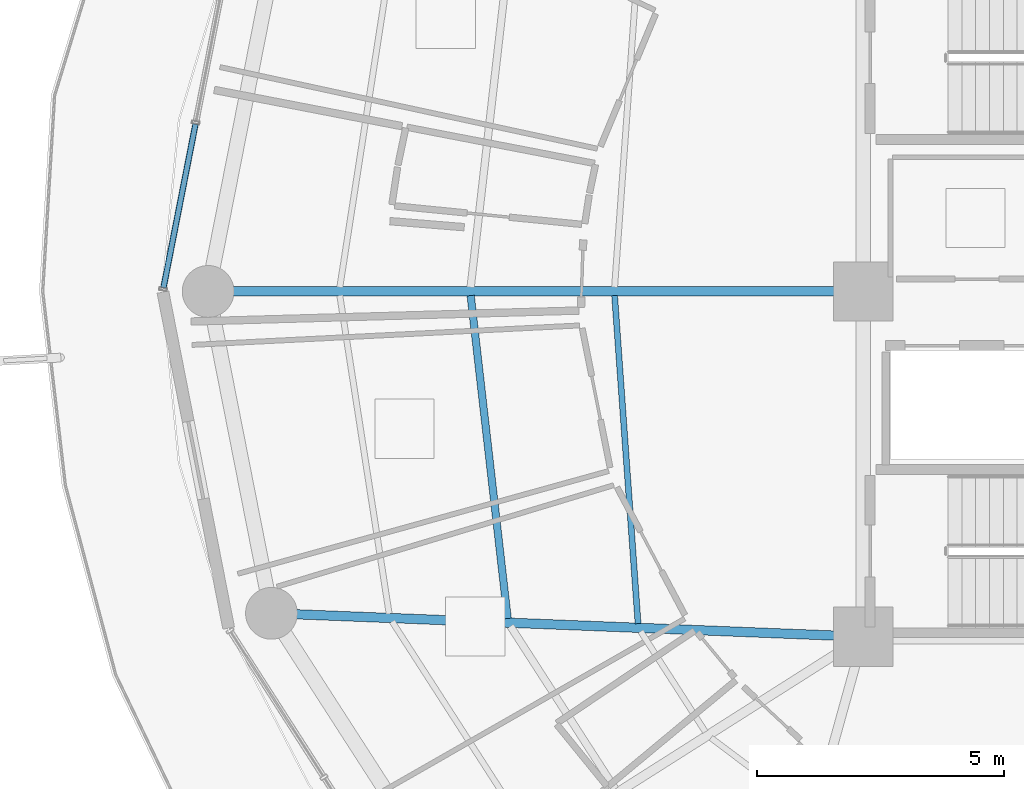
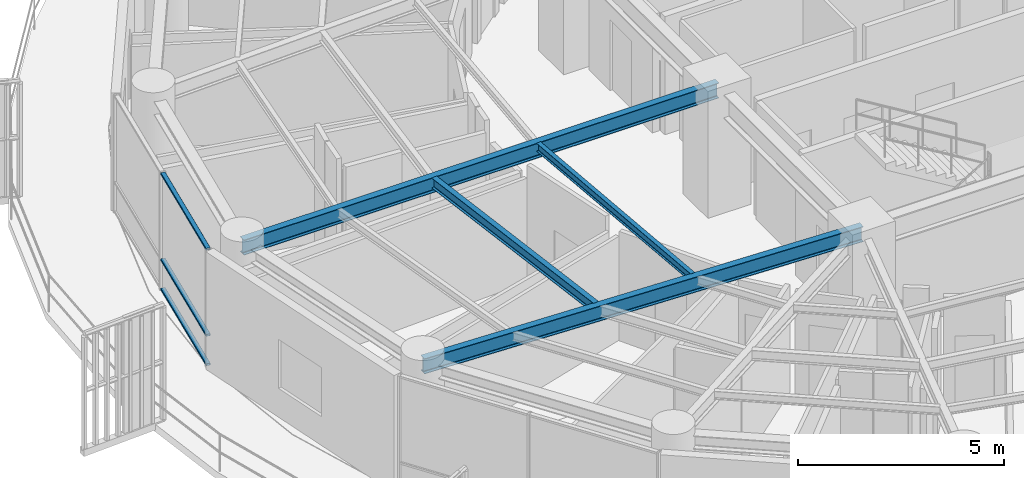
# One storey, part 7 of 31: 4 beams, 3 members, 1 element without a shape of its own.
"""IFC4 building model written with IfcOpenShell, lengths in metres."""

from ifc_helpers import new_model, si_unit, direction, frame, origin, origin_2d, place, context, subcontext, project, spatial, hollow_rectangle, i_section, extrude, material, layer, layer_set, material_profile, profile_set, type_object, element, aggregate, save


model = new_model("IFC4")

# Units and contexts
model_context = context("Model", 3, precision=1e-05, world=origin(), true_north=direction((0.0, 1.0)))
body_context = subcontext(model_context, "Body", "Model", "MODEL_VIEW")
ifc_project = project(units=[si_unit("LENGTHUNIT", "METRE"), si_unit("AREAUNIT", "SQUARE_METRE"), si_unit("VOLUMEUNIT", "CUBIC_METRE"), si_unit("PLANEANGLEUNIT", "RADIAN"), si_unit("MASSUNIT", "GRAM", prefix="KILO")], contexts=[model_context])

# Site, building, storey
site_placement = place(None, origin())
site = spatial("IfcSite", under=ifc_project, at=site_placement, CompositionType="ELEMENT")
building_placement = place(site_placement, origin())
building = spatial("IfcBuilding", under=site, at=building_placement, Name="Kelanora Arch Commons", CompositionType="ELEMENT")
storey_placement = place(building_placement, frame((0.0, 0.0, 196.949951171875)))
storey = spatial("IfcBuildingStorey", under=building, at=storey_placement, Name="L50", CompositionType="ELEMENT", Elevation=196.949951171875)

# Beams
ifc_material_1 = material(Name="Steel S355", Category="steel")
ifc_material_profile_1 = material_profile(ifc_material_1, i_section(OverallWidth=0.14990234375, OverallDepth=0.300048828125, WebThickness=0.007080078125, FlangeThickness=0.0107421875, FilletRadius=0.014892578125, at=origin_2d()), Name="IPE300")
ifc_profile_set_1 = profile_set([ifc_material_profile_1], Name="Steel S355")
beam_type_1 = type_object("IfcBeamType", Name="BM-JST-01", PredefinedType="JOIST", material=ifc_profile_set_1)
beam_1_placement = place(storey_placement, frame((58.041748046875, 57.91552734375, 3.340087890625), z_axis=(0.113891408177, -0.993493204377, 0.0), x_axis=(0.993493204377, 0.113891408177, 0.0)))
element("IfcBeam", 1, at=beam_1_placement, inside=storey, type_object=beam_type_1, Name="Secondary Chord Joist BJB-18 L50", PredefinedType="JOIST", context=body_context, shape_type="SweptSolid", body=[
    extrude(i_section(OverallWidth=0.14990234375, OverallDepth=0.300048828125, WebThickness=0.007080078125, FlangeThickness=0.0107421875, FilletRadius=0.014892578125, at=origin_2d()), origin(), (0.0, 0.0, 1.0), 6.589599609375),
])
ifc_material_profile_2 = material_profile(ifc_material_1, i_section(OverallWidth=0.1201171875, OverallDepth=0.239990234375, WebThickness=0.006103515625, FlangeThickness=0.009765625, FilletRadius=0.014892578125, at=origin_2d()), Name="IPE240")
ifc_profile_set_2 = profile_set([ifc_material_profile_2], Name="Steel S355")
beam_type_2 = type_object("IfcBeamType", Name="BM-JST-02", PredefinedType="JOIST", material=ifc_profile_set_2)
beam_2_placement = place(storey_placement, frame((60.959716796875, 57.915283203125, 3.3701171875), z_axis=(0.07133032136, -0.997452748382, 0.0), x_axis=(0.997452748382, 0.07133032136, 0.0)))
element("IfcBeam", 2, at=beam_2_placement, inside=storey, type_object=beam_type_2, Name="Secondary Chord Joist BJA-18 L50", PredefinedType="JOIST", context=body_context, shape_type="SweptSolid", body=[
    extrude(i_section(OverallWidth=0.1201171875, OverallDepth=0.239990234375, WebThickness=0.006103515625, FlangeThickness=0.009765625, FilletRadius=0.014892578125, at=origin_2d()), origin(), (0.0, 0.0, 1.0), 6.66748046875),
])
ifc_material_profile_3 = material_profile(ifc_material_1, i_section(OverallWidth=0.18994140625, OverallDepth=0.449951171875, WebThickness=0.009521484375, FlangeThickness=0.0146484375, FilletRadius=0.02099609375, at=origin_2d()), Name="IPE450")
ifc_profile_set_3 = profile_set([ifc_material_profile_3], Name="Steel S355")
beam_type_3 = type_object("IfcBeamType", Name="BM-RAD-Z4", PredefinedType="BEAM", material=ifc_profile_set_3)
beam_3_placement = place(storey_placement, frame((66.0, 58.0, 3.26513671875), z_axis=(-1.0, 0.0, 0.0), x_axis=(0.0, -1.0, 0.0)))
element("IfcBeam", 3, at=beam_3_placement, inside=storey, type_object=beam_type_3, Name="Radial Floor Girder BR-18 L50", PredefinedType="BEAM", context=body_context, shape_type="SweptSolid", body=[
    extrude(i_section(OverallWidth=0.18994140625, OverallDepth=0.449951171875, WebThickness=0.009521484375, FlangeThickness=0.0146484375, FilletRadius=0.02099609375, at=origin_2d()), origin(), (0.0, 0.0, 1.0), 13.280029296875),
])
beam_4_placement = place(storey_placement, frame((66.0, 51.0, 3.26513671875), z_axis=(-0.999219142585, 0.03951082246, 0.0), x_axis=(-0.03951082246, -0.999219142585, 0.0)))
element("IfcBeam", 4, at=beam_4_placement, inside=storey, type_object=beam_type_3, Name="Radial Floor Girder BR-20 L50", PredefinedType="BEAM", context=body_context, shape_type="SweptSolid", body=[
    extrude(i_section(OverallWidth=0.18994140625, OverallDepth=0.449951171875, WebThickness=0.009521484375, FlangeThickness=0.0146484375, FilletRadius=0.02099609375, at=origin_2d()), origin(), (0.0, 0.0, 1.0), 12.005859375),
])

# Curtain wall, members
ifc_material_2 = material(Name="Terracotta ceramic-fritted low-E glass and aluminium", Category="masonry")
ifc_layer = layer(ifc_material_2, 0.175048828125)
ifc_layer_set = layer_set([ifc_layer], Name="Terracotta ceramic-fritted low-E glass and aluminium")
curtain_wall_type = type_object("IfcCurtainWallType", Name="CW-SYS-02", PredefinedType="NOTDEFINED", material=ifc_layer_set)
curtain_wall_placement = place(storey_placement, origin())
curtain_wall = element("IfcCurtainWall", 5, at=curtain_wall_placement, inside=storey, type_object=curtain_wall_type, Name="Unitised Curtain Wall L50-B08", PredefinedType="NOTDEFINED")
ifc_material_3 = material(Name="Powder-coated aluminium terracotta", Category="masonry")
ifc_material_profile_4 = material_profile(ifc_material_3, hollow_rectangle(XDim=0.1201171875, YDim=0.06005859375, WallThickness=0.0048828125, InnerFilletRadius=0.0048828125, OuterFilletRadius=0.010009765625, at=origin_2d()), Name="CWT120x60")
ifc_profile_set_4 = profile_set([ifc_material_profile_4], Name="Powder-coated aluminium terracotta")
member_type = type_object("IfcMemberType", Name="CWT-STD", PredefinedType="USERDEFINED", material=ifc_profile_set_4)
member_1_placement = place(storey_placement, frame((52.463623046875, 61.390869140625, 0.030029296875), z_axis=(-0.192044874899, -0.981386145218, 0.0), x_axis=(0.981386145218, -0.192044874899, 0.0)))
member_1 = element("IfcMember", 6, at=member_1_placement, type_object=member_type, Name="CW-02 transom 2.1", ObjectType="TRANSOM", PredefinedType="USERDEFINED", context=body_context, shape_type="SweptSolid", body=[
    extrude(hollow_rectangle(XDim=0.1201171875, YDim=0.06005859375, WallThickness=0.0048828125, InnerFilletRadius=0.0048828125, OuterFilletRadius=0.010009765625, at=origin_2d()), origin(), (0.0, 0.0, 1.0), 3.38037109375),
])
member_2_placement = place(storey_placement, frame((52.463623046875, 61.390869140625, 0.900146484375), z_axis=(-0.192044874899, -0.981386145218, 0.0), x_axis=(0.981386145218, -0.192044874899, 0.0)))
member_2 = element("IfcMember", 7, at=member_2_placement, type_object=member_type, Name="CW-02 transom 2.2", ObjectType="TRANSOM", PredefinedType="USERDEFINED", context=body_context, shape_type="SweptSolid", body=[
    extrude(hollow_rectangle(XDim=0.1201171875, YDim=0.06005859375, WallThickness=0.0048828125, InnerFilletRadius=0.0048828125, OuterFilletRadius=0.010009765625, at=origin_2d()), origin(), (0.0, 0.0, 1.0), 3.38037109375),
])
member_3_placement = place(storey_placement, frame((52.463623046875, 61.390869140625, 3.445068359375), z_axis=(-0.192044874899, -0.981386145218, 0.0), x_axis=(0.981386145218, -0.192044874899, 0.0)))
member_3 = element("IfcMember", 8, at=member_3_placement, type_object=member_type, Name="CW-02 transom 2.3", ObjectType="TRANSOM", PredefinedType="USERDEFINED", context=body_context, shape_type="SweptSolid", body=[
    extrude(hollow_rectangle(XDim=0.1201171875, YDim=0.06005859375, WallThickness=0.0048828125, InnerFilletRadius=0.0048828125, OuterFilletRadius=0.010009765625, at=origin_2d()), origin(), (0.0, 0.0, 1.0), 3.38037109375),
])
aggregate(curtain_wall, [member_1, member_2, member_3])

save(model, "model.ifc")
